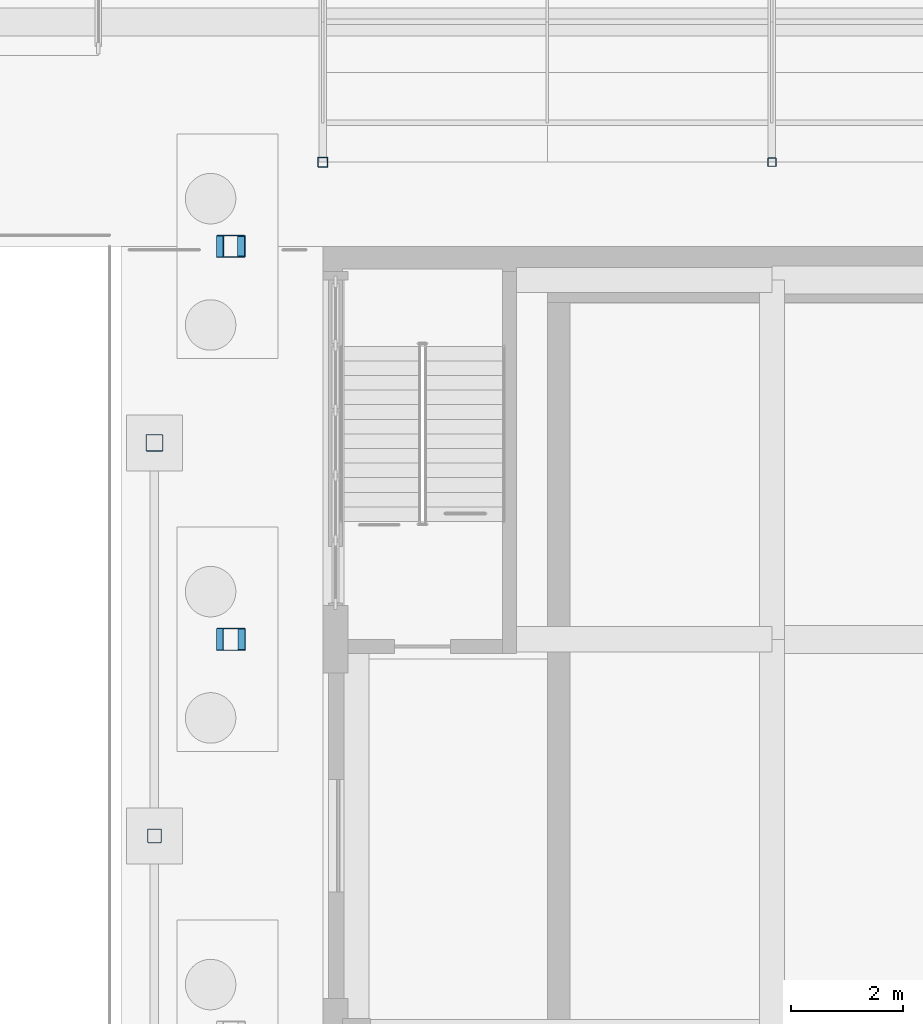
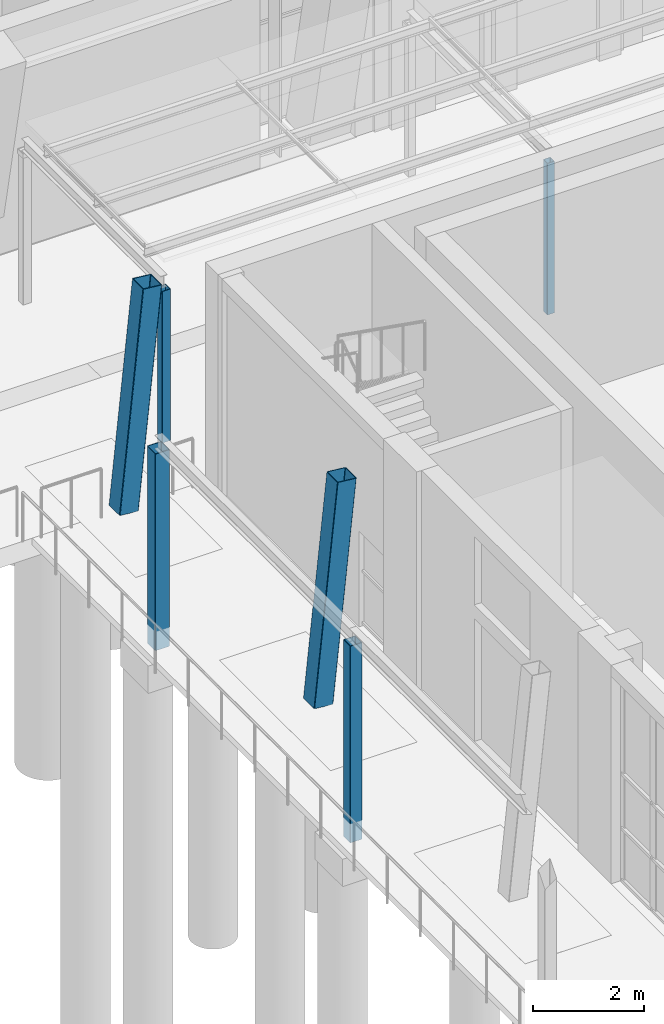
# One storey, part 15 of 144: 6 columns.
"""IFC4 building model written with IfcOpenShell, lengths in metres."""

from ifc_helpers import new_model, si_unit, direction, frame, origin, origin_2d, place, context, subcontext, project, spatial, hollow_rectangle, extrude, material, material_profile, profile_set, type_object, element, save


model = new_model("IFC4")

# Units and contexts
model_context = context("Model", 3, precision=1e-05, world=origin(), true_north=direction((0.0, 1.0)))
body_context = subcontext(model_context, "Body", "Model", "MODEL_VIEW")
ifc_project = project(units=[si_unit("LENGTHUNIT", "METRE"), si_unit("AREAUNIT", "SQUARE_METRE"), si_unit("VOLUMEUNIT", "CUBIC_METRE"), si_unit("PLANEANGLEUNIT", "RADIAN"), si_unit("MASSUNIT", "GRAM", prefix="KILO")], contexts=[model_context])

# Site, building, storey
site_placement = place(None, origin())
site = spatial("IfcSite", under=ifc_project, at=site_placement, CompositionType="ELEMENT")
building_placement = place(site_placement, origin())
building = spatial("IfcBuilding", under=site, at=building_placement, Name="Lantern Court Media Centre", CompositionType="ELEMENT")
storey_placement = place(building_placement, origin())
storey = spatial("IfcBuildingStorey", under=building, at=storey_placement, Name="L00", CompositionType="ELEMENT", Elevation=0.0)

# Columns
ifc_material = material(Name="Steel S355J2 (EN 10025-2)", Category="steel")
ifc_material_profile_1 = material_profile(ifc_material, hollow_rectangle(XDim=0.179931640625, YDim=0.179931640625, WallThickness=0.008056640625, InnerFilletRadius=0.008056640625, OuterFilletRadius=0.011962890625, at=origin_2d()), Name="Cloister canopy end post SHS 180x8")
ifc_profile_set_1 = profile_set([ifc_material_profile_1], Name="Steel S355J2 (EN 10025-2)")
column_type_1 = type_object("IfcColumnType", Name="Cloister canopy end post SHS 180x8", PredefinedType="COLUMN", material=ifc_profile_set_1)
column_1_placement = place(storey_placement, frame((72.0, 41.5, 0.0), z_axis=(0.0, 0.0, 1.0), x_axis=(1.0, 0.0, 0.0)))
element("IfcColumn", 1, at=column_1_placement, inside=storey, type_object=column_type_1, Name="Cloister post 2-1-1", PredefinedType="COLUMN", context=body_context, shape_type="SweptSolid", body=[
    extrude(hollow_rectangle(XDim=0.179931640625, YDim=0.179931640625, WallThickness=0.008056640625, InnerFilletRadius=0.008056640625, OuterFilletRadius=0.011962890625, at=origin_2d()), origin(), (0.0, 0.0, 1.0), 3.330078125),
])
ifc_material_profile_2 = material_profile(ifc_material, hollow_rectangle(XDim=0.14990234375, YDim=0.14990234375, WallThickness=0.00634765625, InnerFilletRadius=0.00634765625, OuterFilletRadius=0.009521484375, at=origin_2d()), Name="Cloister canopy post SHS 150x6.3")
ifc_profile_set_2 = profile_set([ifc_material_profile_2], Name="Steel S355J2 (EN 10025-2)")
column_type_2 = type_object("IfcColumnType", Name="Cloister canopy post SHS 150x6.3", PredefinedType="COLUMN", material=ifc_profile_set_2)
column_2_placement = place(storey_placement, frame((80.0, 41.5, 0.0), z_axis=(0.0, 0.0, 1.0), x_axis=(1.0, 0.0, 0.0)))
element("IfcColumn", 2, at=column_2_placement, inside=storey, type_object=column_type_2, Name="Cloister post 2-2-1", PredefinedType="COLUMN", context=body_context, shape_type="SweptSolid", body=[
    extrude(hollow_rectangle(XDim=0.14990234375, YDim=0.14990234375, WallThickness=0.00634765625, InnerFilletRadius=0.00634765625, OuterFilletRadius=0.009521484375, at=origin_2d()), origin(), (0.0, 0.0, 1.0), 3.330078125),
])
ifc_material_profile_3 = material_profile(ifc_material, hollow_rectangle(XDim=0.300048828125, YDim=0.300048828125, WallThickness=0.010009765625, InnerFilletRadius=0.010009765625, OuterFilletRadius=0.014892578125, at=origin_2d()), Name="Forecourt colonnade end post SHS 300x10")
ifc_profile_set_3 = profile_set([ifc_material_profile_3], Name="Steel S355J2 (EN 10025-2)")
column_type_3 = type_object("IfcColumnType", Name="Forecourt colonnade end post SHS 300x10", PredefinedType="COLUMN", material=ifc_profile_set_3)
column_3_placement = place(storey_placement, frame((69.0, 36.5, -0.419921875), z_axis=(0.0, 0.0, 1.0), x_axis=(1.0, 0.0, 0.0)))
element("IfcColumn", 3, at=column_3_placement, inside=storey, type_object=column_type_3, Name="Forecourt colonnade post V2 5", PredefinedType="COLUMN", context=body_context, shape_type="SweptSolid", body=[
    extrude(hollow_rectangle(XDim=0.300048828125, YDim=0.300048828125, WallThickness=0.010009765625, InnerFilletRadius=0.010009765625, OuterFilletRadius=0.014892578125, at=origin_2d()), origin(), (0.0, 0.0, 1.0), 4.31982421875),
])
ifc_material_profile_4 = material_profile(ifc_material, hollow_rectangle(XDim=0.25, YDim=0.25, WallThickness=0.010009765625, InnerFilletRadius=0.010009765625, OuterFilletRadius=0.014892578125, at=origin_2d()), Name="Forecourt colonnade post SHS 250x10")
ifc_profile_set_4 = profile_set([ifc_material_profile_4], Name="Steel S355J2 (EN 10025-2)")
column_type_4 = type_object("IfcColumnType", Name="Forecourt colonnade post SHS 250x10", PredefinedType="COLUMN", material=ifc_profile_set_4)
column_4_placement = place(storey_placement, frame((69.0, 29.5, -0.419921875), z_axis=(0.0, 0.0, 1.0), x_axis=(1.0, 0.0, 0.0)))
element("IfcColumn", 4, at=column_4_placement, inside=storey, type_object=column_type_4, Name="Forecourt colonnade post V2 4", PredefinedType="COLUMN", context=body_context, shape_type="SweptSolid", body=[
    extrude(hollow_rectangle(XDim=0.25, YDim=0.25, WallThickness=0.010009765625, InnerFilletRadius=0.010009765625, OuterFilletRadius=0.014892578125, at=origin_2d()), origin(), (0.0, 0.0, 1.0), 4.31982421875),
])
ifc_material_profile_5 = material_profile(ifc_material, hollow_rectangle(XDim=0.39990234375, YDim=0.39990234375, WallThickness=0.012451171875, InnerFilletRadius=0.012451171875, OuterFilletRadius=0.018798828125, at=origin_2d()), Name="Studio Hall buttress column SHS 400x12.5")
ifc_profile_set_5 = profile_set([ifc_material_profile_5], Name="Steel S355J2 (EN 10025-2)")
column_type_5 = type_object("IfcColumnType", Name="Studio Hall buttress column SHS 400x12.5", PredefinedType="COLUMN", material=ifc_profile_set_5)
column_5_placement = place(storey_placement, frame((70.300048828125, 33.0, 0.0), z_axis=(0.100901453218, 0.0, 0.994896425131), x_axis=(0.0, 1.0, 0.0)))
element("IfcColumn", 5, at=column_5_placement, inside=storey, type_object=column_type_5, Name="Studio Hall buttress west 6", PredefinedType="COLUMN", context=body_context, shape_type="SweptSolid", body=[
    extrude(hollow_rectangle(XDim=0.39990234375, YDim=0.39990234375, WallThickness=0.012451171875, InnerFilletRadius=0.012451171875, OuterFilletRadius=0.018798828125, at=origin_2d()), origin(), (0.0, 0.0, 1.0), 4.82470703125),
])
ifc_material_profile_6 = material_profile(ifc_material, hollow_rectangle(XDim=0.39990234375, YDim=0.39990234375, WallThickness=0.01611328125, InnerFilletRadius=0.01611328125, OuterFilletRadius=0.02392578125, at=origin_2d()), Name="Studio Hall gable buttress column SHS 400x16")
ifc_profile_set_6 = profile_set([ifc_material_profile_6], Name="Steel S355J2 (EN 10025-2)")
column_type_6 = type_object("IfcColumnType", Name="Studio Hall gable buttress column SHS 400x16", PredefinedType="COLUMN", material=ifc_profile_set_6)
column_6_placement = place(storey_placement, frame((70.300048828125, 40.0, 0.0), z_axis=(0.100901453218, 0.0, 0.994896425131), x_axis=(0.0, 1.0, 0.0)))
element("IfcColumn", 6, at=column_6_placement, inside=storey, type_object=column_type_6, Name="Studio Hall buttress west 7", PredefinedType="COLUMN", context=body_context, shape_type="SweptSolid", body=[
    extrude(hollow_rectangle(XDim=0.39990234375, YDim=0.39990234375, WallThickness=0.01611328125, InnerFilletRadius=0.01611328125, OuterFilletRadius=0.02392578125, at=origin_2d()), origin(), (0.0, 0.0, 1.0), 4.82470703125),
])

save(model, "model.ifc")
